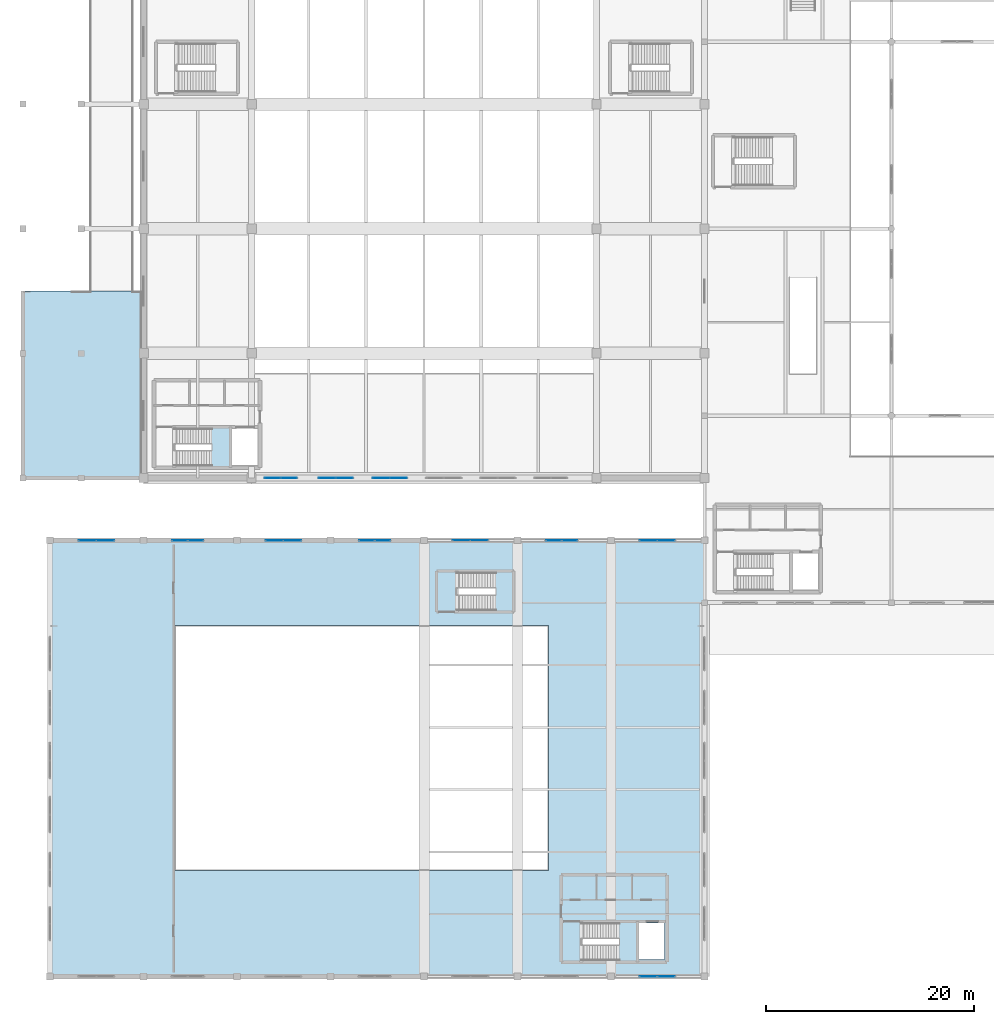
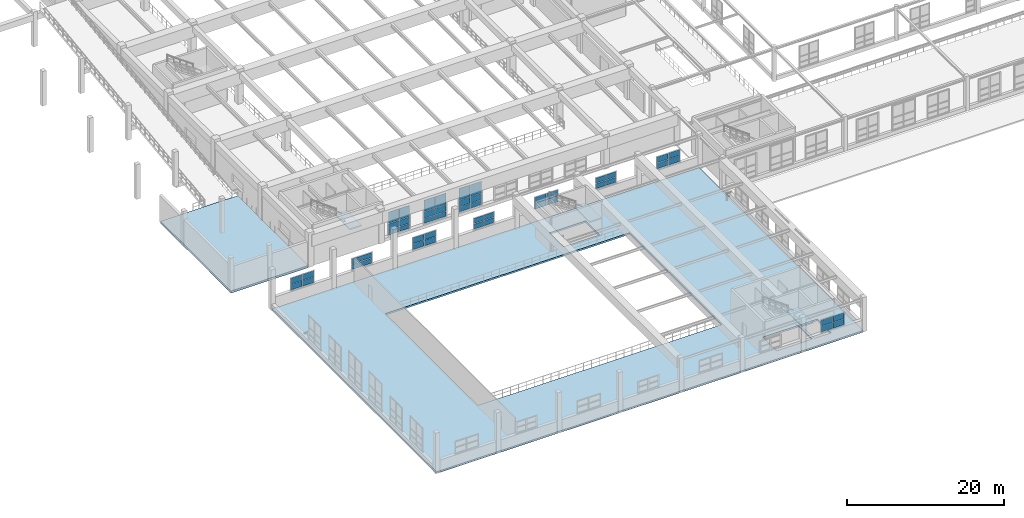
# One storey, part 155 of 197: 50 plates, 5 slabs, 14 elements without a shape of their own.
"""IFC4 building model written with IfcOpenShell, lengths in metres."""

from ifc_helpers import new_model, si_unit, derived_unit, direction, frame, origin, origin_2d, place, context, subcontext, project, spatial, polyline, rectangle, outline, extrude, material, layer, layer_set, type_object, element, aggregate, save


model = new_model("IFC4")

# Units and contexts
model_context = context("Model", 3, precision=1e-05, world=origin(), true_north=direction((0.0, 1.0)))
body_context = subcontext(model_context, "Body", "Model", "MODEL_VIEW")
ifc_project = project(units=[si_unit("LENGTHUNIT", "METRE"), si_unit("AREAUNIT", "SQUARE_METRE"), si_unit("VOLUMEUNIT", "CUBIC_METRE"), si_unit("PLANEANGLEUNIT", "RADIAN"), si_unit("MASSUNIT", "GRAM", prefix="KILO"), derived_unit("THERMALTRANSMITTANCEUNIT", [(si_unit("POWERUNIT", "WATT"), 1), (si_unit("LENGTHUNIT", "METRE"), -2), (si_unit("THERMODYNAMICTEMPERATUREUNIT", "KELVIN"), -1)])], contexts=[model_context])

# Site, building, storey
site_placement = place(None, origin())
site = spatial("IfcSite", under=ifc_project, at=site_placement, CompositionType="ELEMENT")
building_placement = place(site_placement, origin())
building = spatial("IfcBuilding", under=site, at=building_placement, Name="Almenara Railside Exhibition Hall", CompositionType="ELEMENT")
storey_placement = place(building_placement, frame((0.0, 0.0, 5.39990234375)))
storey = spatial("IfcBuildingStorey", under=building, at=storey_placement, Name="L01", CompositionType="ELEMENT", Elevation=5.39990234375)

# Curtain wall, plates
ifc_material_1 = material(Name="Bronze-anodised aluminium and low-E double glazing", Category="aluminium")
ifc_layer_1 = layer(ifc_material_1, 0.179931640625, Name="Bronze-anodised aluminium and low-E double glazing")
ifc_layer_set_1 = layer_set([ifc_layer_1], Name="Bronze-anodised aluminium and low-E double glazing")
curtain_wall_type_1 = type_object("IfcCurtainWallType", Name="Scroll Gable Side Curtain Wall 3200x3800", PredefinedType="NOTDEFINED", material=ifc_layer_set_1)
curtain_wall_1_placement = place(storey_placement, origin())
curtain_wall_1 = element("IfcCurtainWall", 1, at=curtain_wall_1_placement, inside=storey, type_object=curtain_wall_type_1, Name="Curtain wall CW-G4-025", PredefinedType="NOTDEFINED")
ifc_material_2 = material(Name="Solar-control acoustic laminated glazing", Category="glass")
ifc_layer_2 = layer(ifc_material_2, 0.031982421875, Name="Solar-control acoustic laminated glazing")
ifc_layer_set_2 = layer_set([ifc_layer_2], Name="Solar-control acoustic laminated glazing")
plate_type_1 = type_object("IfcPlateType", Name="Acoustic Low-E Double Glazing Panel 32mm", PredefinedType="CURTAIN_PANEL", material=ifc_layer_set_2)
plate_1_placement = place(storey_placement, frame((24.416259765625, 48.0, 0.6240234375), z_axis=(0.0, 0.0, 1.0), x_axis=(1.0, 0.0, 0.0)))
plate_1 = element("IfcPlate", 2, at=plate_1_placement, type_object=plate_type_1, Name="CW-G4-025 panel 1.1", PredefinedType="CURTAIN_PANEL", context=body_context, shape_type="SweptSolid", body=[
    extrude(rectangle(XDim=1.5185546875, YDim=0.031982421875, at=origin_2d()), origin(), (0.0, 0.0, 1.0), 0.672119140625),
])
plate_2_placement = place(storey_placement, frame((24.416259765625, 48.0, 1.404052734375), z_axis=(0.0, 0.0, 1.0), x_axis=(1.0, 0.0, 0.0)))
plate_2 = element("IfcPlate", 3, at=plate_2_placement, type_object=plate_type_1, Name="CW-G4-025 panel 1.2", PredefinedType="CURTAIN_PANEL", context=body_context, shape_type="SweptSolid", body=[
    extrude(rectangle(XDim=1.5185546875, YDim=0.031982421875, at=origin_2d()), origin(), (0.0, 0.0, 1.0), 0.94189453125),
])
plate_3_placement = place(storey_placement, frame((24.416259765625, 48.0, 2.4541015625), z_axis=(0.0, 0.0, 1.0), x_axis=(1.0, 0.0, 0.0)))
plate_3 = element("IfcPlate", 4, at=plate_3_placement, type_object=plate_type_1, Name="CW-G4-025 panel 1.3", PredefinedType="CURTAIN_PANEL", context=body_context, shape_type="SweptSolid", body=[
    extrude(rectangle(XDim=1.5185546875, YDim=0.031982421875, at=origin_2d()), origin(), (0.0, 0.0, 1.0), 1.721923828125),
])
plate_4_placement = place(storey_placement, frame((25.983642578125, 48.0, 0.6240234375), z_axis=(0.0, 0.0, 1.0), x_axis=(1.0, 0.0, 0.0)))
plate_4 = element("IfcPlate", 5, at=plate_4_placement, type_object=plate_type_1, Name="CW-G4-025 panel 2.1", PredefinedType="CURTAIN_PANEL", context=body_context, shape_type="SweptSolid", body=[
    extrude(rectangle(XDim=1.5185546875, YDim=0.031982421875, at=origin_2d()), origin(), (0.0, 0.0, 1.0), 0.672119140625),
])
plate_5_placement = place(storey_placement, frame((25.983642578125, 48.0, 1.404052734375), z_axis=(0.0, 0.0, 1.0), x_axis=(1.0, 0.0, 0.0)))
plate_5 = element("IfcPlate", 6, at=plate_5_placement, type_object=plate_type_1, Name="CW-G4-025 panel 2.2", PredefinedType="CURTAIN_PANEL", context=body_context, shape_type="SweptSolid", body=[
    extrude(rectangle(XDim=1.5185546875, YDim=0.031982421875, at=origin_2d()), origin(), (0.0, 0.0, 1.0), 0.94189453125),
])
plate_6_placement = place(storey_placement, frame((25.983642578125, 48.0, 2.4541015625), z_axis=(0.0, 0.0, 1.0), x_axis=(1.0, 0.0, 0.0)))
plate_6 = element("IfcPlate", 7, at=plate_6_placement, type_object=plate_type_1, Name="CW-G4-025 panel 2.3", PredefinedType="CURTAIN_PANEL", context=body_context, shape_type="SweptSolid", body=[
    extrude(rectangle(XDim=1.5185546875, YDim=0.031982421875, at=origin_2d()), origin(), (0.0, 0.0, 1.0), 1.721923828125),
])
aggregate(curtain_wall_1, [plate_1, plate_2, plate_3, plate_4, plate_5, plate_6])

ifc_layer_3 = layer(ifc_material_1, 0.179931640625, Name="Bronze-anodised aluminium and low-E double glazing")
ifc_layer_set_3 = layer_set([ifc_layer_3], Name="Bronze-anodised aluminium and low-E double glazing")
curtain_wall_type_2 = type_object("IfcCurtainWallType", Name="Plenary Clerestory Curtain Wall 3100x1900", PredefinedType="NOTDEFINED", material=ifc_layer_set_3)
curtain_wall_2_placement = place(storey_placement, origin())
curtain_wall_2 = element("IfcCurtainWall", 8, at=curtain_wall_2_placement, inside=storey, type_object=curtain_wall_type_2, Name="Curtain wall CW-CL6-100", PredefinedType="NOTDEFINED")
plate_7_placement = place(storey_placement, frame((33.4912109375, 42.0, 1.97412109375), z_axis=(0.0, 0.0, 1.0), x_axis=(1.0, 0.0, 0.0)))
plate_7 = element("IfcPlate", 9, at=plate_7_placement, type_object=plate_type_1, Name="CW-CL6-100 panel 1.1", PredefinedType="CURTAIN_PANEL", context=body_context, shape_type="SweptSolid", body=[
    extrude(rectangle(XDim=1.468505859375, YDim=0.031982421875, at=origin_2d()), origin(), (0.0, 0.0, 1.0), 0.77197265625),
])
plate_8_placement = place(storey_placement, frame((33.4912109375, 42.0, 2.85400390625), z_axis=(0.0, 0.0, 1.0), x_axis=(1.0, 0.0, 0.0)))
plate_8 = element("IfcPlate", 10, at=plate_8_placement, type_object=plate_type_1, Name="CW-CL6-100 panel 1.2", PredefinedType="CURTAIN_PANEL", context=body_context, shape_type="SweptSolid", body=[
    extrude(rectangle(XDim=1.468505859375, YDim=0.031982421875, at=origin_2d()), origin(), (0.0, 0.0, 1.0), 0.77197265625),
])
plate_9_placement = place(storey_placement, frame((35.0087890625, 42.0, 1.97412109375), z_axis=(0.0, 0.0, 1.0), x_axis=(1.0, 0.0, 0.0)))
plate_9 = element("IfcPlate", 11, at=plate_9_placement, type_object=plate_type_1, Name="CW-CL6-100 panel 2.1", PredefinedType="CURTAIN_PANEL", context=body_context, shape_type="SweptSolid", body=[
    extrude(rectangle(XDim=1.468505859375, YDim=0.031982421875, at=origin_2d()), origin(), (0.0, 0.0, 1.0), 0.77197265625),
])
plate_10_placement = place(storey_placement, frame((35.0087890625, 42.0, 2.85400390625), z_axis=(0.0, 0.0, 1.0), x_axis=(1.0, 0.0, 0.0)))
plate_10 = element("IfcPlate", 12, at=plate_10_placement, type_object=plate_type_1, Name="CW-CL6-100 panel 2.2", PredefinedType="CURTAIN_PANEL", context=body_context, shape_type="SweptSolid", body=[
    extrude(rectangle(XDim=1.468505859375, YDim=0.031982421875, at=origin_2d()), origin(), (0.0, 0.0, 1.0), 0.77197265625),
])
aggregate(curtain_wall_2, [plate_7, plate_8, plate_9, plate_10])

ifc_layer_4 = layer(ifc_material_1, 0.179931640625, Name="Bronze-anodised aluminium and low-E double glazing")
ifc_layer_set_4 = layer_set([ifc_layer_4], Name="Bronze-anodised aluminium and low-E double glazing")
curtain_wall_type_3 = type_object("IfcCurtainWallType", Name="Plenary Clerestory Curtain Wall 3500x2000", PredefinedType="NOTDEFINED", material=ifc_layer_set_4)
curtain_wall_3_placement = place(storey_placement, origin())
curtain_wall_3 = element("IfcCurtainWall", 13, at=curtain_wall_3_placement, inside=storey, type_object=curtain_wall_type_3, Name="Curtain wall CW-CL5-105", PredefinedType="NOTDEFINED")
plate_11_placement = place(storey_placement, frame((60.590087890625, 0.0, 1.9443359375), z_axis=(0.0, 0.0, 1.0), x_axis=(1.0, 0.0, 0.0)))
plate_11 = element("IfcPlate", 14, at=plate_11_placement, type_object=plate_type_1, Name="CW-CL5-105 panel 1.1", PredefinedType="CURTAIN_PANEL", context=body_context, shape_type="SweptSolid", body=[
    extrude(rectangle(XDim=1.676025390625, YDim=0.031982421875, at=origin_2d()), origin(), (0.0, 0.0, 1.0), 0.866943359375),
])
plate_12_placement = place(storey_placement, frame((60.590087890625, 0.0, 2.88916015625), z_axis=(0.0, 0.0, 1.0), x_axis=(1.0, 0.0, 0.0)))
plate_12 = element("IfcPlate", 15, at=plate_12_placement, type_object=plate_type_1, Name="CW-CL5-105 panel 1.2", PredefinedType="CURTAIN_PANEL", context=body_context, shape_type="SweptSolid", body=[
    extrude(rectangle(XDim=1.676025390625, YDim=0.031982421875, at=origin_2d()), origin(), (0.0, 0.0, 1.0), 0.866943359375),
])
plate_13_placement = place(storey_placement, frame((62.31005859375, 0.0, 1.9443359375), z_axis=(0.0, 0.0, 1.0), x_axis=(1.0, 0.0, 0.0)))
plate_13 = element("IfcPlate", 16, at=plate_13_placement, type_object=plate_type_1, Name="CW-CL5-105 panel 2.1", PredefinedType="CURTAIN_PANEL", context=body_context, shape_type="SweptSolid", body=[
    extrude(rectangle(XDim=1.676025390625, YDim=0.031982421875, at=origin_2d()), origin(), (0.0, 0.0, 1.0), 0.866943359375),
])
plate_14_placement = place(storey_placement, frame((62.31005859375, 0.0, 2.88916015625), z_axis=(0.0, 0.0, 1.0), x_axis=(1.0, 0.0, 0.0)))
plate_14 = element("IfcPlate", 17, at=plate_14_placement, type_object=plate_type_1, Name="CW-CL5-105 panel 2.2", PredefinedType="CURTAIN_PANEL", context=body_context, shape_type="SweptSolid", body=[
    extrude(rectangle(XDim=1.676025390625, YDim=0.031982421875, at=origin_2d()), origin(), (0.0, 0.0, 1.0), 0.866943359375),
])
aggregate(curtain_wall_3, [plate_11, plate_12, plate_13, plate_14])

# Slab
ifc_material_3 = material(Name="Concrete C35/45", Category="concrete")
ifc_layer_5 = layer(ifc_material_3, 0.260009765625, Name="Concrete C35/45")
ifc_layer_set_5 = layer_set([ifc_layer_5], Name="Concrete C35/45")
slab_type_1 = type_object("IfcSlabType", Name="Congress Suspended Slab 260mm C35/45", PredefinedType="FLOOR", material=ifc_layer_set_5)
slab_1_placement = place(storey_placement, frame((0.0, 0.0, -0.260009765625)))
element("IfcSlab", 18, at=slab_1_placement, inside=storey, type_object=slab_type_1, Name="Plenary L01 balcony ring 015", PredefinedType="FLOOR", context=body_context, shape_type="SweptSolid", body=[
    extrude(outline(polyline([(3.0, 0.0), (66.0, 0.0), (66.0, 42.0), (3.0, 42.0), (3.0, 0.0)]), holes=[polyline([(54.15087890625, 1.64990234375), (59.39990234375, 1.64990234375), (59.39990234375, 5.139892578125), (54.15087890625, 5.139892578125), (54.15087890625, 1.64990234375)]), polyline([(59.699951171875, 1.64990234375), (62.14990234375, 1.64990234375), (62.14990234375, 5.139892578125), (59.699951171875, 5.139892578125), (59.699951171875, 1.64990234375)]), polyline([(15.0, 10.199951171875), (51.0, 10.199951171875), (51.0, 33.800048828125), (15.0, 33.800048828125), (15.0, 10.199951171875)]), polyline([(42.15087890625, 35.35009765625), (47.449951171875, 35.35009765625), (47.449951171875, 38.89990234375), (42.15087890625, 38.89990234375), (42.15087890625, 35.35009765625)])]), origin(), (0.0, 0.0, 1.0), 0.260009765625),
])

# Curtain wall, plates
ifc_layer_6 = layer(ifc_material_1, 0.179931640625, Name="Bronze-anodised aluminium and low-E double glazing")
ifc_layer_set_6 = layer_set([ifc_layer_6], Name="Bronze-anodised aluminium and low-E double glazing")
curtain_wall_type_4 = type_object("IfcCurtainWallType", Name="Scroll Gable Mid Curtain Wall 3400x4400", PredefinedType="NOTDEFINED", material=ifc_layer_set_6)
curtain_wall_4_placement = place(storey_placement, origin())
curtain_wall_4 = element("IfcCurtainWall", 19, at=curtain_wall_4_placement, inside=storey, type_object=curtain_wall_type_4, Name="Curtain wall CW-G3-027", PredefinedType="NOTDEFINED")
ifc_material_4 = material(Name="Clear low-E laminated double glazing", Category="glass")
ifc_layer_7 = layer(ifc_material_4, 0.02392578125, Name="Clear low-E laminated double glazing")
ifc_layer_set_7 = layer_set([ifc_layer_7], Name="Clear low-E laminated double glazing")
plate_type_2 = type_object("IfcPlateType", Name="Courtyard Clear Double Glazing Panel 24mm", PredefinedType="CURTAIN_PANEL", material=ifc_layer_set_7)
plate_15_placement = place(storey_placement, frame((34.86376953125, 48.0, 0.573974609375), z_axis=(0.0, 0.0, 1.0), x_axis=(1.0, 0.0, 0.0)))
plate_15 = element("IfcPlate", 20, at=plate_15_placement, type_object=plate_type_2, Name="CW-G3-027 panel 1.1", PredefinedType="CURTAIN_PANEL", context=body_context, shape_type="SweptSolid", body=[
    extrude(rectangle(XDim=1.633544921875, YDim=0.02392578125, at=origin_2d()), origin(), (0.0, 0.0, 1.0), 0.7470703125),
])
plate_16_placement = place(storey_placement, frame((34.86376953125, 48.0, 1.37890625), z_axis=(0.0, 0.0, 1.0), x_axis=(1.0, 0.0, 0.0)))
plate_16 = element("IfcPlate", 21, at=plate_16_placement, type_object=plate_type_2, Name="CW-G3-027 panel 1.2", PredefinedType="CURTAIN_PANEL", context=body_context, shape_type="SweptSolid", body=[
    extrude(rectangle(XDim=1.633544921875, YDim=0.02392578125, at=origin_2d()), origin(), (0.0, 0.0, 1.0), 0.991943359375),
])
plate_17_placement = place(storey_placement, frame((34.86376953125, 48.0, 2.42919921875), z_axis=(0.0, 0.0, 1.0), x_axis=(1.0, 0.0, 0.0)))
plate_17 = element("IfcPlate", 22, at=plate_17_placement, type_object=plate_type_2, Name="CW-G3-027 panel 1.3", PredefinedType="CURTAIN_PANEL", context=body_context, shape_type="SweptSolid", body=[
    extrude(rectangle(XDim=1.633544921875, YDim=0.02392578125, at=origin_2d()), origin(), (0.0, 0.0, 1.0), 1.797119140625),
])
plate_18_placement = place(storey_placement, frame((36.5361328125, 48.0, 0.573974609375), z_axis=(0.0, 0.0, 1.0), x_axis=(1.0, 0.0, 0.0)))
plate_18 = element("IfcPlate", 23, at=plate_18_placement, type_object=plate_type_2, Name="CW-G3-027 panel 2.1", PredefinedType="CURTAIN_PANEL", context=body_context, shape_type="SweptSolid", body=[
    extrude(rectangle(XDim=1.633544921875, YDim=0.02392578125, at=origin_2d()), origin(), (0.0, 0.0, 1.0), 0.7470703125),
])
plate_19_placement = place(storey_placement, frame((36.5361328125, 48.0, 1.37890625), z_axis=(0.0, 0.0, 1.0), x_axis=(1.0, 0.0, 0.0)))
plate_19 = element("IfcPlate", 24, at=plate_19_placement, type_object=plate_type_2, Name="CW-G3-027 panel 2.2", PredefinedType="CURTAIN_PANEL", context=body_context, shape_type="SweptSolid", body=[
    extrude(rectangle(XDim=1.633544921875, YDim=0.02392578125, at=origin_2d()), origin(), (0.0, 0.0, 1.0), 0.991943359375),
])
plate_20_placement = place(storey_placement, frame((36.5361328125, 48.0, 2.42919921875), z_axis=(0.0, 0.0, 1.0), x_axis=(1.0, 0.0, 0.0)))
plate_20 = element("IfcPlate", 25, at=plate_20_placement, type_object=plate_type_2, Name="CW-G3-027 panel 2.3", PredefinedType="CURTAIN_PANEL", context=body_context, shape_type="SweptSolid", body=[
    extrude(rectangle(XDim=1.633544921875, YDim=0.02392578125, at=origin_2d()), origin(), (0.0, 0.0, 1.0), 1.797119140625),
])
aggregate(curtain_wall_4, [plate_15, plate_16, plate_17, plate_18, plate_19, plate_20])

curtain_wall_5_placement = place(storey_placement, origin())
curtain_wall_5 = element("IfcCurtainWall", 26, at=curtain_wall_5_placement, inside=storey, type_object=curtain_wall_type_3, Name="Curtain wall CW-CL5-102", PredefinedType="NOTDEFINED")
plate_21_placement = place(storey_placement, frame((42.5888671875, 42.0, 1.924072265625), z_axis=(0.0, 0.0, 1.0), x_axis=(1.0, 0.0, 0.0)))
plate_21 = element("IfcPlate", 27, at=plate_21_placement, type_object=plate_type_2, Name="CW-CL5-102 panel 1.1", PredefinedType="CURTAIN_PANEL", context=body_context, shape_type="SweptSolid", body=[
    extrude(rectangle(XDim=1.68359375, YDim=0.02392578125, at=origin_2d()), origin(), (0.0, 0.0, 1.0), 0.89697265625),
])
plate_22_placement = place(storey_placement, frame((42.5888671875, 42.0, 2.879150390625), z_axis=(0.0, 0.0, 1.0), x_axis=(1.0, 0.0, 0.0)))
plate_22 = element("IfcPlate", 28, at=plate_22_placement, type_object=plate_type_2, Name="CW-CL5-102 panel 1.2", PredefinedType="CURTAIN_PANEL", context=body_context, shape_type="SweptSolid", body=[
    extrude(rectangle(XDim=1.68359375, YDim=0.02392578125, at=origin_2d()), origin(), (0.0, 0.0, 1.0), 0.89697265625),
])
plate_23_placement = place(storey_placement, frame((44.311279296875, 42.0, 1.924072265625), z_axis=(0.0, 0.0, 1.0), x_axis=(1.0, 0.0, 0.0)))
plate_23 = element("IfcPlate", 29, at=plate_23_placement, type_object=plate_type_2, Name="CW-CL5-102 panel 2.1", PredefinedType="CURTAIN_PANEL", context=body_context, shape_type="SweptSolid", body=[
    extrude(rectangle(XDim=1.68359375, YDim=0.02392578125, at=origin_2d()), origin(), (0.0, 0.0, 1.0), 0.89697265625),
])
plate_24_placement = place(storey_placement, frame((44.311279296875, 42.0, 2.879150390625), z_axis=(0.0, 0.0, 1.0), x_axis=(1.0, 0.0, 0.0)))
plate_24 = element("IfcPlate", 30, at=plate_24_placement, type_object=plate_type_2, Name="CW-CL5-102 panel 2.2", PredefinedType="CURTAIN_PANEL", context=body_context, shape_type="SweptSolid", body=[
    extrude(rectangle(XDim=1.68359375, YDim=0.02392578125, at=origin_2d()), origin(), (0.0, 0.0, 1.0), 0.89697265625),
])
aggregate(curtain_wall_5, [plate_21, plate_22, plate_23, plate_24])

curtain_wall_6_placement = place(storey_placement, origin())
curtain_wall_6 = element("IfcCurtainWall", 31, at=curtain_wall_6_placement, inside=storey, type_object=curtain_wall_type_3, Name="Curtain wall CW-CL5-098", PredefinedType="NOTDEFINED")
ifc_material_5 = material(Name="Bronze-anodised insulated aluminium spandrel", Category="aluminium")
ifc_layer_8 = layer(ifc_material_5, 0.0400390625, Name="Bronze-anodised insulated aluminium spandrel")
ifc_layer_set_8 = layer_set([ifc_layer_8], Name="Bronze-anodised insulated aluminium spandrel")
plate_type_3 = type_object("IfcPlateType", Name="Insulated Bronze Spandrel Panel 40mm", PredefinedType="CURTAIN_PANEL", material=ifc_layer_set_8)
plate_25_placement = place(storey_placement, frame((24.5888671875, 42.0, 1.924072265625), z_axis=(0.0, 0.0, 1.0), x_axis=(1.0, 0.0, 0.0)))
plate_25 = element("IfcPlate", 32, at=plate_25_placement, type_object=plate_type_3, Name="CW-CL5-098 panel 1.1", PredefinedType="CURTAIN_PANEL", context=body_context, shape_type="SweptSolid", body=[
    extrude(rectangle(XDim=1.68359375, YDim=0.0400390625, at=origin_2d()), origin(), (0.0, 0.0, 1.0), 0.89697265625),
])
plate_26_placement = place(storey_placement, frame((24.5888671875, 42.0, 2.879150390625), z_axis=(0.0, 0.0, 1.0), x_axis=(1.0, 0.0, 0.0)))
plate_26 = element("IfcPlate", 33, at=plate_26_placement, type_object=plate_type_3, Name="CW-CL5-098 panel 1.2", PredefinedType="CURTAIN_PANEL", context=body_context, shape_type="SweptSolid", body=[
    extrude(rectangle(XDim=1.68359375, YDim=0.0400390625, at=origin_2d()), origin(), (0.0, 0.0, 1.0), 0.89697265625),
])
plate_27_placement = place(storey_placement, frame((26.311279296875, 42.0, 1.924072265625), z_axis=(0.0, 0.0, 1.0), x_axis=(1.0, 0.0, 0.0)))
plate_27 = element("IfcPlate", 34, at=plate_27_placement, type_object=plate_type_3, Name="CW-CL5-098 panel 2.1", PredefinedType="CURTAIN_PANEL", context=body_context, shape_type="SweptSolid", body=[
    extrude(rectangle(XDim=1.68359375, YDim=0.0400390625, at=origin_2d()), origin(), (0.0, 0.0, 1.0), 0.89697265625),
])
plate_28_placement = place(storey_placement, frame((26.311279296875, 42.0, 2.879150390625), z_axis=(0.0, 0.0, 1.0), x_axis=(1.0, 0.0, 0.0)))
plate_28 = element("IfcPlate", 35, at=plate_28_placement, type_object=plate_type_3, Name="CW-CL5-098 panel 2.2", PredefinedType="CURTAIN_PANEL", context=body_context, shape_type="SweptSolid", body=[
    extrude(rectangle(XDim=1.68359375, YDim=0.0400390625, at=origin_2d()), origin(), (0.0, 0.0, 1.0), 0.89697265625),
])
aggregate(curtain_wall_6, [plate_25, plate_26, plate_27, plate_28])

curtain_wall_7_placement = place(storey_placement, origin())
curtain_wall_7 = element("IfcCurtainWall", 36, at=curtain_wall_7_placement, inside=storey, type_object=curtain_wall_type_3, Name="Curtain wall CW-CL5-094", PredefinedType="NOTDEFINED")
ifc_layer_9 = layer(ifc_material_5, 0.034912109375, Name="Bronze-anodised insulated aluminium spandrel")
ifc_layer_set_9 = layer_set([ifc_layer_9], Name="Bronze-anodised insulated aluminium spandrel")
plate_type_4 = type_object("IfcPlateType", Name="Insulated Stucco-Tone Spandrel Panel 35mm", PredefinedType="CURTAIN_PANEL", material=ifc_layer_set_9)
plate_29_placement = place(storey_placement, frame((6.5888671875, 42.0, 1.924072265625), z_axis=(0.0, 0.0, 1.0), x_axis=(1.0, 0.0, 0.0)))
plate_29 = element("IfcPlate", 37, at=plate_29_placement, type_object=plate_type_4, Name="CW-CL5-094 panel 1.1", PredefinedType="CURTAIN_PANEL", context=body_context, shape_type="SweptSolid", body=[
    extrude(rectangle(XDim=1.68359375, YDim=0.034912109375, at=origin_2d()), origin(), (0.0, 0.0, 1.0), 0.89697265625),
])
plate_30_placement = place(storey_placement, frame((6.5888671875, 42.0, 2.879150390625), z_axis=(0.0, 0.0, 1.0), x_axis=(1.0, 0.0, 0.0)))
plate_30 = element("IfcPlate", 38, at=plate_30_placement, type_object=plate_type_4, Name="CW-CL5-094 panel 1.2", PredefinedType="CURTAIN_PANEL", context=body_context, shape_type="SweptSolid", body=[
    extrude(rectangle(XDim=1.68359375, YDim=0.034912109375, at=origin_2d()), origin(), (0.0, 0.0, 1.0), 0.89697265625),
])
plate_31_placement = place(storey_placement, frame((8.311279296875, 42.0, 1.924072265625), z_axis=(0.0, 0.0, 1.0), x_axis=(1.0, 0.0, 0.0)))
plate_31 = element("IfcPlate", 39, at=plate_31_placement, type_object=plate_type_4, Name="CW-CL5-094 panel 2.1", PredefinedType="CURTAIN_PANEL", context=body_context, shape_type="SweptSolid", body=[
    extrude(rectangle(XDim=1.68359375, YDim=0.034912109375, at=origin_2d()), origin(), (0.0, 0.0, 1.0), 0.89697265625),
])
plate_32_placement = place(storey_placement, frame((8.311279296875, 42.0, 2.879150390625), z_axis=(0.0, 0.0, 1.0), x_axis=(1.0, 0.0, 0.0)))
plate_32 = element("IfcPlate", 40, at=plate_32_placement, type_object=plate_type_4, Name="CW-CL5-094 panel 2.2", PredefinedType="CURTAIN_PANEL", context=body_context, shape_type="SweptSolid", body=[
    extrude(rectangle(XDim=1.68359375, YDim=0.034912109375, at=origin_2d()), origin(), (0.0, 0.0, 1.0), 0.89697265625),
])
aggregate(curtain_wall_7, [plate_29, plate_30, plate_31, plate_32])

curtain_wall_8_placement = place(storey_placement, origin())
curtain_wall_8 = element("IfcCurtainWall", 41, at=curtain_wall_8_placement, inside=storey, type_object=curtain_wall_type_2, Name="Curtain wall CW-CL6-104", PredefinedType="NOTDEFINED")
plate_33_placement = place(storey_placement, frame((51.4912109375, 42.0, 1.97412109375), z_axis=(0.0, 0.0, 1.0), x_axis=(1.0, 0.0, 0.0)))
plate_33 = element("IfcPlate", 42, at=plate_33_placement, type_object=plate_type_4, Name="CW-CL6-104 panel 1.1", PredefinedType="CURTAIN_PANEL", context=body_context, shape_type="SweptSolid", body=[
    extrude(rectangle(XDim=1.468505859375, YDim=0.034912109375, at=origin_2d()), origin(), (0.0, 0.0, 1.0), 0.77197265625),
])
plate_34_placement = place(storey_placement, frame((51.4912109375, 42.0, 2.85400390625), z_axis=(0.0, 0.0, 1.0), x_axis=(1.0, 0.0, 0.0)))
plate_34 = element("IfcPlate", 43, at=plate_34_placement, type_object=plate_type_4, Name="CW-CL6-104 panel 1.2", PredefinedType="CURTAIN_PANEL", context=body_context, shape_type="SweptSolid", body=[
    extrude(rectangle(XDim=1.468505859375, YDim=0.034912109375, at=origin_2d()), origin(), (0.0, 0.0, 1.0), 0.77197265625),
])
plate_35_placement = place(storey_placement, frame((53.0087890625, 42.0, 1.97412109375), z_axis=(0.0, 0.0, 1.0), x_axis=(1.0, 0.0, 0.0)))
plate_35 = element("IfcPlate", 44, at=plate_35_placement, type_object=plate_type_4, Name="CW-CL6-104 panel 2.1", PredefinedType="CURTAIN_PANEL", context=body_context, shape_type="SweptSolid", body=[
    extrude(rectangle(XDim=1.468505859375, YDim=0.034912109375, at=origin_2d()), origin(), (0.0, 0.0, 1.0), 0.77197265625),
])
plate_36_placement = place(storey_placement, frame((53.0087890625, 42.0, 2.85400390625), z_axis=(0.0, 0.0, 1.0), x_axis=(1.0, 0.0, 0.0)))
plate_36 = element("IfcPlate", 45, at=plate_36_placement, type_object=plate_type_4, Name="CW-CL6-104 panel 2.2", PredefinedType="CURTAIN_PANEL", context=body_context, shape_type="SweptSolid", body=[
    extrude(rectangle(XDim=1.468505859375, YDim=0.034912109375, at=origin_2d()), origin(), (0.0, 0.0, 1.0), 0.77197265625),
])
aggregate(curtain_wall_8, [plate_33, plate_34, plate_35, plate_36])

curtain_wall_9_placement = place(storey_placement, origin())
curtain_wall_9 = element("IfcCurtainWall", 46, at=curtain_wall_9_placement, inside=storey, type_object=curtain_wall_type_4, Name="Curtain wall CW-G3-026", PredefinedType="NOTDEFINED")
ifc_material_6 = material(Name="Solar-control low-E laminated double glazing", Category="glass")
ifc_layer_10 = layer(ifc_material_6, 0.028076171875, Name="Solar-control low-E laminated double glazing")
ifc_layer_set_10 = layer_set([ifc_layer_10], Name="Solar-control low-E laminated double glazing")
plate_type_5 = type_object("IfcPlateType", Name="Low-E Solar Control Double Glazing Panel 28mm", PredefinedType="CURTAIN_PANEL", material=ifc_layer_set_10)
plate_37_placement = place(storey_placement, frame((29.6650390625, 48.0, 0.59423828125), z_axis=(0.0, 0.0, 1.0), x_axis=(1.0, 0.0, 0.0)))
plate_37 = element("IfcPlate", 47, at=plate_37_placement, type_object=plate_type_5, Name="CW-G3-026 panel 1.1", PredefinedType="CURTAIN_PANEL", context=body_context, shape_type="SweptSolid", body=[
    extrude(rectangle(XDim=1.6259765625, YDim=0.028076171875, at=origin_2d()), origin(), (0.0, 0.0, 1.0), 0.717041015625),
])
plate_38_placement = place(storey_placement, frame((29.6650390625, 48.0, 1.38916015625), z_axis=(0.0, 0.0, 1.0), x_axis=(1.0, 0.0, 0.0)))
plate_38 = element("IfcPlate", 48, at=plate_38_placement, type_object=plate_type_5, Name="CW-G3-026 panel 1.2", PredefinedType="CURTAIN_PANEL", context=body_context, shape_type="SweptSolid", body=[
    extrude(rectangle(XDim=1.6259765625, YDim=0.028076171875, at=origin_2d()), origin(), (0.0, 0.0, 1.0), 0.971923828125),
])
plate_39_placement = place(storey_placement, frame((29.6650390625, 48.0, 2.43896484375), z_axis=(0.0, 0.0, 1.0), x_axis=(1.0, 0.0, 0.0)))
plate_39 = element("IfcPlate", 49, at=plate_39_placement, type_object=plate_type_5, Name="CW-G3-026 panel 1.3", PredefinedType="CURTAIN_PANEL", context=body_context, shape_type="SweptSolid", body=[
    extrude(rectangle(XDim=1.6259765625, YDim=0.028076171875, at=origin_2d()), origin(), (0.0, 0.0, 1.0), 1.76708984375),
])
plate_40_placement = place(storey_placement, frame((31.3349609375, 48.0, 0.59423828125), z_axis=(0.0, 0.0, 1.0), x_axis=(1.0, 0.0, 0.0)))
plate_40 = element("IfcPlate", 50, at=plate_40_placement, type_object=plate_type_5, Name="CW-G3-026 panel 2.1", PredefinedType="CURTAIN_PANEL", context=body_context, shape_type="SweptSolid", body=[
    extrude(rectangle(XDim=1.6259765625, YDim=0.028076171875, at=origin_2d()), origin(), (0.0, 0.0, 1.0), 0.717041015625),
])
plate_41_placement = place(storey_placement, frame((31.3349609375, 48.0, 1.38916015625), z_axis=(0.0, 0.0, 1.0), x_axis=(1.0, 0.0, 0.0)))
plate_41 = element("IfcPlate", 51, at=plate_41_placement, type_object=plate_type_5, Name="CW-G3-026 panel 2.2", PredefinedType="CURTAIN_PANEL", context=body_context, shape_type="SweptSolid", body=[
    extrude(rectangle(XDim=1.6259765625, YDim=0.028076171875, at=origin_2d()), origin(), (0.0, 0.0, 1.0), 0.971923828125),
])
plate_42_placement = place(storey_placement, frame((31.3349609375, 48.0, 2.43896484375), z_axis=(0.0, 0.0, 1.0), x_axis=(1.0, 0.0, 0.0)))
plate_42 = element("IfcPlate", 52, at=plate_42_placement, type_object=plate_type_5, Name="CW-G3-026 panel 2.3", PredefinedType="CURTAIN_PANEL", context=body_context, shape_type="SweptSolid", body=[
    extrude(rectangle(XDim=1.6259765625, YDim=0.028076171875, at=origin_2d()), origin(), (0.0, 0.0, 1.0), 1.76708984375),
])
aggregate(curtain_wall_9, [plate_37, plate_38, plate_39, plate_40, plate_41, plate_42])

curtain_wall_10_placement = place(storey_placement, origin())
curtain_wall_10 = element("IfcCurtainWall", 53, at=curtain_wall_10_placement, inside=storey, type_object=curtain_wall_type_2, Name="Curtain wall CW-CL6-096", PredefinedType="NOTDEFINED")
plate_43_placement = place(storey_placement, frame((15.4912109375, 42.0, 1.97412109375), z_axis=(0.0, 0.0, 1.0), x_axis=(1.0, 0.0, 0.0)))
plate_43 = element("IfcPlate", 54, at=plate_43_placement, type_object=plate_type_5, Name="CW-CL6-096 panel 1.1", PredefinedType="CURTAIN_PANEL", context=body_context, shape_type="SweptSolid", body=[
    extrude(rectangle(XDim=1.468505859375, YDim=0.028076171875, at=origin_2d()), origin(), (0.0, 0.0, 1.0), 0.77197265625),
])
plate_44_placement = place(storey_placement, frame((15.4912109375, 42.0, 2.85400390625), z_axis=(0.0, 0.0, 1.0), x_axis=(1.0, 0.0, 0.0)))
plate_44 = element("IfcPlate", 55, at=plate_44_placement, type_object=plate_type_5, Name="CW-CL6-096 panel 1.2", PredefinedType="CURTAIN_PANEL", context=body_context, shape_type="SweptSolid", body=[
    extrude(rectangle(XDim=1.468505859375, YDim=0.028076171875, at=origin_2d()), origin(), (0.0, 0.0, 1.0), 0.77197265625),
])
plate_45_placement = place(storey_placement, frame((17.0087890625, 42.0, 1.97412109375), z_axis=(0.0, 0.0, 1.0), x_axis=(1.0, 0.0, 0.0)))
plate_45 = element("IfcPlate", 56, at=plate_45_placement, type_object=plate_type_5, Name="CW-CL6-096 panel 2.1", PredefinedType="CURTAIN_PANEL", context=body_context, shape_type="SweptSolid", body=[
    extrude(rectangle(XDim=1.468505859375, YDim=0.028076171875, at=origin_2d()), origin(), (0.0, 0.0, 1.0), 0.77197265625),
])
plate_46_placement = place(storey_placement, frame((17.0087890625, 42.0, 2.85400390625), z_axis=(0.0, 0.0, 1.0), x_axis=(1.0, 0.0, 0.0)))
plate_46 = element("IfcPlate", 57, at=plate_46_placement, type_object=plate_type_5, Name="CW-CL6-096 panel 2.2", PredefinedType="CURTAIN_PANEL", context=body_context, shape_type="SweptSolid", body=[
    extrude(rectangle(XDim=1.468505859375, YDim=0.028076171875, at=origin_2d()), origin(), (0.0, 0.0, 1.0), 0.77197265625),
])
aggregate(curtain_wall_10, [plate_43, plate_44, plate_45, plate_46])

curtain_wall_11_placement = place(storey_placement, origin())
curtain_wall_11 = element("IfcCurtainWall", 58, at=curtain_wall_11_placement, inside=storey, type_object=curtain_wall_type_3, Name="Curtain wall CW-CL5-106", PredefinedType="NOTDEFINED")
plate_47_placement = place(storey_placement, frame((60.5888671875, 42.0, 1.924072265625), z_axis=(0.0, 0.0, 1.0), x_axis=(1.0, 0.0, 0.0)))
plate_47 = element("IfcPlate", 59, at=plate_47_placement, type_object=plate_type_5, Name="CW-CL5-106 panel 1.1", PredefinedType="CURTAIN_PANEL", context=body_context, shape_type="SweptSolid", body=[
    extrude(rectangle(XDim=1.68359375, YDim=0.028076171875, at=origin_2d()), origin(), (0.0, 0.0, 1.0), 0.89697265625),
])
plate_48_placement = place(storey_placement, frame((60.5888671875, 42.0, 2.879150390625), z_axis=(0.0, 0.0, 1.0), x_axis=(1.0, 0.0, 0.0)))
plate_48 = element("IfcPlate", 60, at=plate_48_placement, type_object=plate_type_5, Name="CW-CL5-106 panel 1.2", PredefinedType="CURTAIN_PANEL", context=body_context, shape_type="SweptSolid", body=[
    extrude(rectangle(XDim=1.68359375, YDim=0.028076171875, at=origin_2d()), origin(), (0.0, 0.0, 1.0), 0.89697265625),
])
plate_49_placement = place(storey_placement, frame((62.311279296875, 42.0, 1.924072265625), z_axis=(0.0, 0.0, 1.0), x_axis=(1.0, 0.0, 0.0)))
plate_49 = element("IfcPlate", 61, at=plate_49_placement, type_object=plate_type_5, Name="CW-CL5-106 panel 2.1", PredefinedType="CURTAIN_PANEL", context=body_context, shape_type="SweptSolid", body=[
    extrude(rectangle(XDim=1.68359375, YDim=0.028076171875, at=origin_2d()), origin(), (0.0, 0.0, 1.0), 0.89697265625),
])
plate_50_placement = place(storey_placement, frame((62.311279296875, 42.0, 2.879150390625), z_axis=(0.0, 0.0, 1.0), x_axis=(1.0, 0.0, 0.0)))
plate_50 = element("IfcPlate", 62, at=plate_50_placement, type_object=plate_type_5, Name="CW-CL5-106 panel 2.2", PredefinedType="CURTAIN_PANEL", context=body_context, shape_type="SweptSolid", body=[
    extrude(rectangle(XDim=1.68359375, YDim=0.028076171875, at=origin_2d()), origin(), (0.0, 0.0, 1.0), 0.89697265625),
])
aggregate(curtain_wall_11, [plate_47, plate_48, plate_49, plate_50])

# Slab
ifc_material_7 = material(Name="Concrete C40/50", Category="concrete")
ifc_layer_11 = layer(ifc_material_7, 0.324951171875, Name="Concrete C40/50")
ifc_layer_set_11 = layer_set([ifc_layer_11], Name="Concrete C40/50")
slab_type_2 = type_object("IfcSlabType", Name="Ramp Structural Landing Slab 325mm C40/50", PredefinedType="LANDING", material=ifc_layer_set_11)
slab_2_placement = place(storey_placement, frame((0.0, 0.0, -0.324951171875)))
element("IfcSlab", 63, at=slab_2_placement, inside=storey, type_object=slab_type_2, Name="Truck Vehicle Ramp Mid-Landing TR-L1", PredefinedType="LANDING", context=body_context, shape_type="SweptSolid", body=[
    extrude(outline(polyline([(0.39990234375, 48.0), (11.800048828125, 48.0), (11.800048828125, 66.0), (0.39990234375, 66.0), (0.39990234375, 48.0)])), origin(), (0.0, 0.0, 1.0), 0.324951171875),
])

# Stair, slab
stair_type = type_object("IfcStairType", Name="Core Dog-Leg Escape Stair 1520mm", PredefinedType="TWO_STRAIGHT_RUN_STAIR", material=ifc_material_3)
stair_1_placement = place(storey_placement, origin())
stair_1 = element("IfcStair", 64, at=stair_1_placement, inside=storey, type_object=stair_type, Name="Escape stair ST-C1-L01", PredefinedType="TWO_STRAIGHT_RUN_STAIR")
ifc_layer_12 = layer(ifc_material_3, 0.199951171875, Name="Concrete C35/45")
ifc_layer_set_12 = layer_set([ifc_layer_12], Name="Concrete C35/45")
slab_type_3 = type_object("IfcSlabType", Name="Stair Half-Landing Slab 200mm C35/45", PredefinedType="LANDING", material=ifc_layer_set_12)
slab_3_placement = place(storey_placement, frame((0.0, 0.0, 2.5)))
slab_3 = element("IfcSlab", 65, at=slab_3_placement, type_object=slab_type_3, Name="ST-C1-L01 landing 1", PredefinedType="LANDING", context=body_context, shape_type="SweptSolid", body=[
    extrude(outline(polyline([(18.559814453125, 49.050048828125), (20.2900390625, 49.050048828125), (20.2900390625, 52.8798828125), (18.559814453125, 52.8798828125), (18.559814453125, 49.050048828125)])), origin(), (0.0, 0.0, 1.0), 0.2001953125),
])
aggregate(stair_1, [slab_3])

stair_2_placement = place(storey_placement, origin())
stair_2 = element("IfcStair", 66, at=stair_2_placement, inside=storey, type_object=stair_type, Name="Escape stair ST-C7-L01", PredefinedType="TWO_STRAIGHT_RUN_STAIR")
slab_4_placement = place(storey_placement, frame((0.0, 0.0, 2.5)))
slab_4 = element("IfcSlab", 67, at=slab_4_placement, type_object=slab_type_3, Name="ST-C7-L01 landing 1", PredefinedType="LANDING", context=body_context, shape_type="SweptSolid", body=[
    extrude(outline(polyline([(57.759765625, 1.449951171875), (59.489990234375, 1.449951171875), (59.489990234375, 5.280029296875), (57.759765625, 5.280029296875), (57.759765625, 1.449951171875)])), origin(), (0.0, 0.0, 1.0), 0.2001953125),
])
aggregate(stair_2, [slab_4])

stair_3_placement = place(storey_placement, origin())
stair_3 = element("IfcStair", 68, at=stair_3_placement, inside=storey, type_object=stair_type, Name="Escape stair HST5-L01", PredefinedType="TWO_STRAIGHT_RUN_STAIR")
slab_5_placement = place(storey_placement, frame((0.0, 0.0, 2.5)))
slab_5 = element("IfcSlab", 69, at=slab_5_placement, type_object=slab_type_3, Name="HST5-L01 landing 1", PredefinedType="LANDING", context=body_context, shape_type="SweptSolid", body=[
    extrude(outline(polyline([(45.889892578125, 35.14990234375), (47.639892578125, 35.14990234375), (47.639892578125, 39.030029296875), (45.889892578125, 39.030029296875), (45.889892578125, 35.14990234375)])), origin(), (0.0, 0.0, 1.0), 0.2001953125),
])
aggregate(stair_3, [slab_5])

save(model, "model.ifc")
